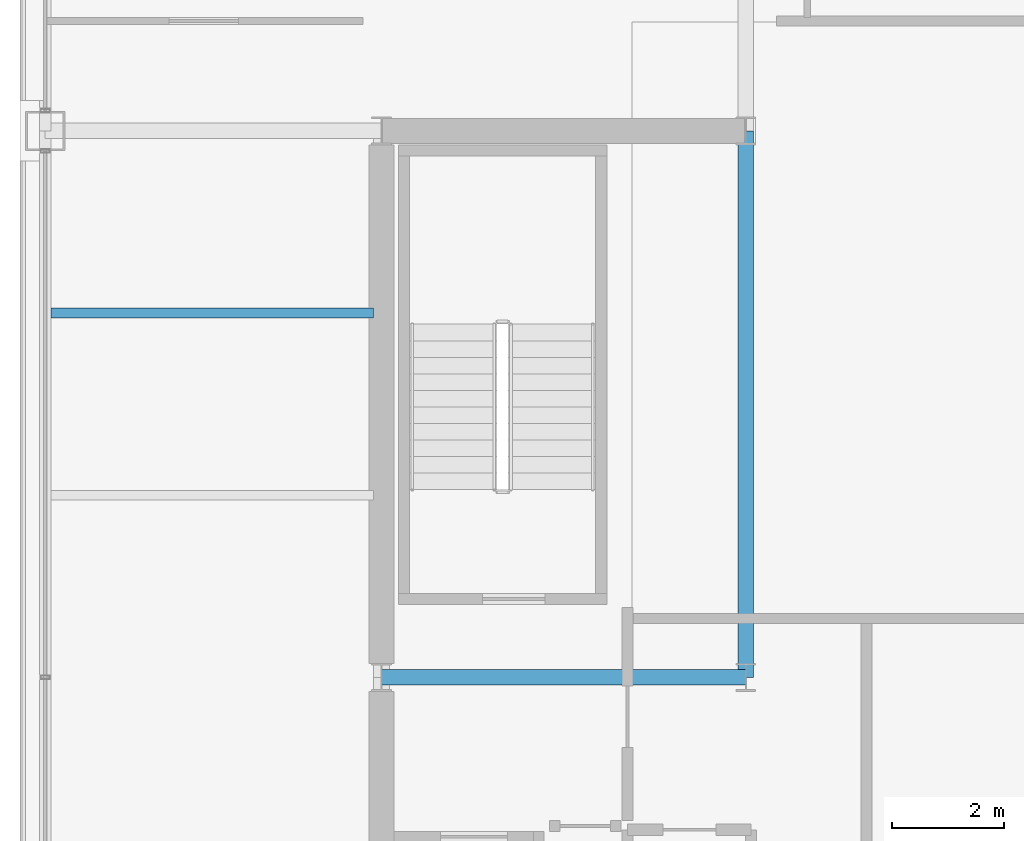
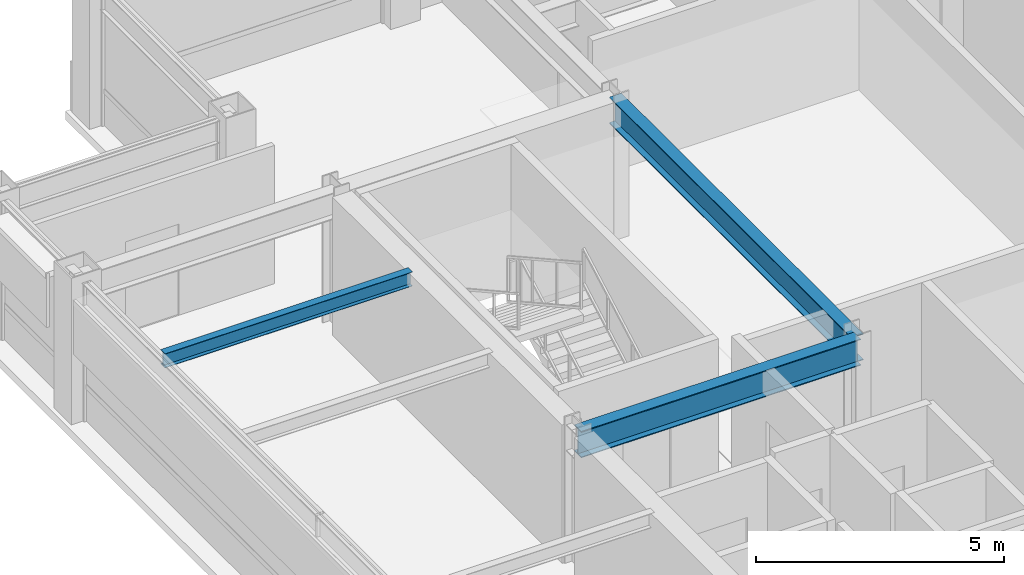
# One storey, part 9 of 26: 3 beams.
"""IFC4 building model written with IfcOpenShell, lengths in metres."""

from ifc_helpers import new_model, si_unit, direction, frame, origin, origin_2d, place, context, subcontext, project, spatial, i_section, extrude, material, material_profile, profile_set, type_object, element, save


model = new_model("IFC4")

# Units and contexts
model_context = context("Model", 3, precision=1e-05, world=origin(), true_north=direction((0.0, 1.0)))
body_context = subcontext(model_context, "Body", "Model", "MODEL_VIEW")
ifc_project = project(units=[si_unit("LENGTHUNIT", "METRE"), si_unit("AREAUNIT", "SQUARE_METRE"), si_unit("VOLUMEUNIT", "CUBIC_METRE"), si_unit("PLANEANGLEUNIT", "RADIAN"), si_unit("MASSUNIT", "GRAM", prefix="KILO")], contexts=[model_context])

# Site, building, storey
site_placement = place(None, origin())
site = spatial("IfcSite", under=ifc_project, at=site_placement, CompositionType="ELEMENT")
building_placement = place(site_placement, origin())
building = spatial("IfcBuilding", under=site, at=building_placement, Name="Brelmoor Portico Tower", CompositionType="ELEMENT")
storey_placement = place(building_placement, frame((0.0, 0.0, 205.5)))
storey = spatial("IfcBuildingStorey", under=building, at=storey_placement, Name="L54", CompositionType="ELEMENT", Elevation=205.5)

# Beams
ifc_material = material(Name="Steel Q355B", Category="steel")
ifc_material_profile_1 = material_profile(ifc_material, i_section(OverallWidth=0.175048828125, OverallDepth=0.35009765625, WebThickness=0.007080078125, FlangeThickness=0.010986328125, at=origin_2d()), Name="HN 350x175x7x11")
ifc_profile_set_1 = profile_set([ifc_material_profile_1], Name="Steel Q355B")
beam_type_1 = type_object("IfcBeamType", Name="BM-JS-350", PredefinedType="JOIST", material=ifc_profile_set_1)
beam_1_placement = place(storey_placement, frame((-20.449951171875, 6.5, 3.22509765625), z_axis=(1.0, 0.0, 0.0), x_axis=(0.0, 1.0, 0.0)))
element("IfcBeam", 1, at=beam_1_placement, inside=storey, type_object=beam_type_1, Name="L54 Secondary Wing Joist JS-W06", PredefinedType="JOIST", context=body_context, shape_type="SweptSolid", body=[
    extrude(i_section(OverallWidth=0.175048828125, OverallDepth=0.35009765625, WebThickness=0.007080078125, FlangeThickness=0.010986328125, at=origin_2d()), origin(), (0.0, 0.0, 1.0), 5.760009765625),
])
ifc_material_profile_2 = material_profile(ifc_material, i_section(OverallWidth=0.280029296875, OverallDepth=0.64990234375, WebThickness=0.012939453125, FlangeThickness=0.02197265625, at=origin_2d()), Name="HN 650x280x13x22")
ifc_profile_set_2 = profile_set([ifc_material_profile_2], Name="Steel Q355B")
beam_type_2 = type_object("IfcBeamType", Name="BM-PG-650", PredefinedType="BEAM", material=ifc_profile_set_2)
beam_2_placement = place(storey_placement, frame((-8.050048828125, 0.0, 3.074951171875), z_axis=(0.0, 1.0, 0.0), x_axis=(-1.0, 0.0, 0.0)))
element("IfcBeam", 2, at=beam_2_placement, inside=storey, type_object=beam_type_2, Name="L54 Primary Floor Girder PG-04", PredefinedType="BEAM", context=body_context, shape_type="SweptSolid", body=[
    extrude(i_section(OverallWidth=0.280029296875, OverallDepth=0.64990234375, WebThickness=0.012939453125, FlangeThickness=0.02197265625, at=origin_2d()), origin(), (0.0, 0.0, 1.0), 9.75),
])
beam_3_placement = place(storey_placement, frame((-14.550048828125, 0.0, 3.074951171875), z_axis=(1.0, 0.0, 0.0), x_axis=(0.0, 1.0, 0.0)))
element("IfcBeam", 3, at=beam_3_placement, inside=storey, type_object=beam_type_2, Name="L54 Primary Floor Girder PG-15", PredefinedType="BEAM", context=body_context, shape_type="SweptSolid", body=[
    extrude(i_section(OverallWidth=0.280029296875, OverallDepth=0.64990234375, WebThickness=0.012939453125, FlangeThickness=0.02197265625, at=origin_2d()), origin(), (0.0, 0.0, 1.0), 6.5),
])

save(model, "model.ifc")
